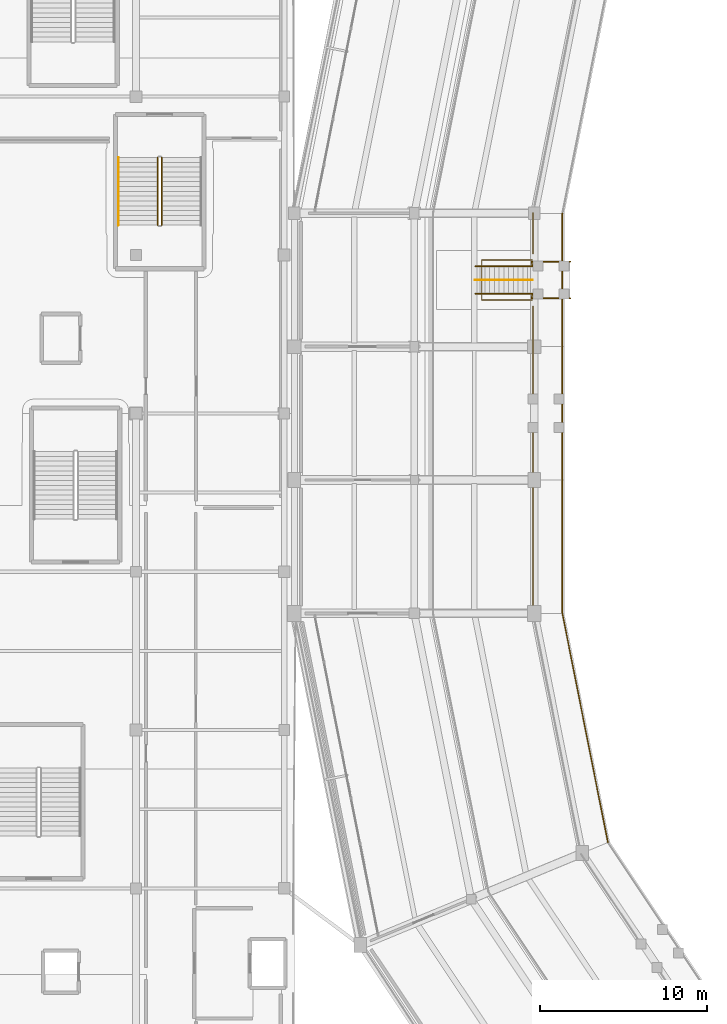
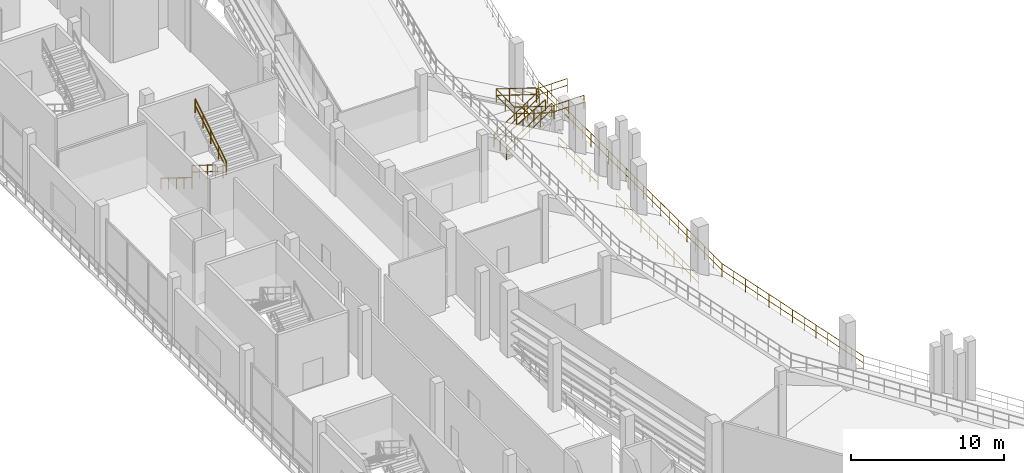
# One storey, part 106 of 127: 14 railings.
"""IFC4 building model written with IfcOpenShell, lengths in metres."""

from ifc_helpers import new_model, si_unit, direction, frame, origin, origin_2d, place, context, subcontext, project, spatial, circle, extrude, material, layer, layer_set, type_object, element, save


model = new_model("IFC4")

# Units and contexts
model_context = context("Model", 3, precision=1e-05, world=origin(), true_north=direction((0.0, 1.0)))
body_context = subcontext(model_context, "Body", "Model", "MODEL_VIEW")
ifc_project = project(units=[si_unit("LENGTHUNIT", "METRE"), si_unit("AREAUNIT", "SQUARE_METRE"), si_unit("VOLUMEUNIT", "CUBIC_METRE"), si_unit("PLANEANGLEUNIT", "RADIAN"), si_unit("MASSUNIT", "GRAM", prefix="KILO")], contexts=[model_context])

# Site, building, storey
site_placement = place(None, origin())
site = spatial("IfcSite", under=ifc_project, at=site_placement, CompositionType="ELEMENT")
building_placement = place(site_placement, origin())
building = spatial("IfcBuilding", under=site, at=building_placement, Name="Candeia Ridge Stadium", CompositionType="ELEMENT")
storey_placement = place(building_placement, frame((0.0, 0.0, 10.800048828125)))
storey = spatial("IfcBuildingStorey", under=building, at=storey_placement, Name="L02", CompositionType="ELEMENT", Elevation=10.800048828125)

# Railings
ifc_material_1 = material(Name="Galvanized Powder-Coated Steel", Category="steel")
ifc_layer_1 = layer(ifc_material_1, 0.074951171875, Name="Galvanized Powder-Coated Steel", Category="steel")
ifc_layer_set_1 = layer_set([ifc_layer_1], Name="Galvanized Powder-Coated Steel")
railing_type_1 = type_object("IfcRailingType", Name="Spectator Bowl Front Guardrail 1120", PredefinedType="GUARDRAIL", material=ifc_layer_set_1)
for number, where, name in (
    (1, (35.080078125, 95.0, 0.39990234375), "Stand T2 front safety guardrail bay 12"),
    (2, (35.080078125, 87.0, 0.39990234375), "Stand T2 front safety guardrail bay 13"),
    (3, (35.080078125, 79.0, 0.39990234375), "Stand T2 front safety guardrail bay 14"),
):
    element("IfcRailing", number, at=place(storey_placement, frame(where)), inside=storey, type_object=railing_type_1, Name=name, PredefinedType="GUARDRAIL", context=body_context, shape_type="SweptSolid", body=[
        extrude(circle(Radius=0.02392578125, at=origin_2d()), frame((0.0, 0.0, 1.09619140625), z_axis=(0.0, -1.0, 0.0), x_axis=(1.0, 0.0, 0.0)), (0.0, 0.0, 1.0), 8.0),
        extrude(circle(Radius=0.02392578125, at=origin_2d()), frame((0.0, 0.0, 0.56005859375), z_axis=(0.0, -1.0, 0.0), x_axis=(1.0, 0.0, 0.0)), (0.0, 0.0, 1.0), 8.0),
        extrude(circle(Radius=0.02099609375, at=origin_2d()), origin(), (0.0, 0.0, 1.0), 1.072021484375),
        extrude(circle(Radius=0.02099609375, at=origin_2d()), frame((0.0, -1.142822265625, 0.0)), (0.0, 0.0, 1.0), 1.072021484375),
        extrude(circle(Radius=0.02099609375, at=origin_2d()), frame((0.0, -2.28564453125, 0.0)), (0.0, 0.0, 1.0), 1.072021484375),
        extrude(circle(Radius=0.02099609375, at=origin_2d()), frame((0.0, -3.428466796875, 0.0)), (0.0, 0.0, 1.0), 1.072021484375),
        extrude(circle(Radius=0.02099609375, at=origin_2d()), frame((0.0, -4.571533203125, 0.0)), (0.0, 0.0, 1.0), 1.072021484375),
        extrude(circle(Radius=0.02099609375, at=origin_2d()), frame((0.0, -5.71435546875, 0.0)), (0.0, 0.0, 1.0), 1.072021484375),
        extrude(circle(Radius=0.02099609375, at=origin_2d()), frame((0.0, -6.857177734375, 0.0)), (0.0, 0.0, 1.0), 1.072021484375),
        extrude(circle(Radius=0.02099609375, at=origin_2d()), frame((0.0, -8.0, 0.0)), (0.0, 0.0, 1.0), 1.072021484375),
    ])
railing_1_placement = place(storey_placement, frame((35.080078125, 71.0, 0.39990234375)))
element("IfcRailing", 4, at=railing_1_placement, inside=storey, type_object=railing_type_1, Name="Stand T2 front safety guardrail bay 15", PredefinedType="GUARDRAIL", context=body_context, shape_type="SweptSolid", body=[
    extrude(circle(Radius=0.02392578125, at=origin_2d()), frame((0.0, 0.0, 1.09619140625), z_axis=(0.195080905976, -0.980787153323, 0.0), x_axis=(0.980787153323, 0.195080905976, 0.0)), (0.0, 0.0, 1.0), 14.015380859375),
    extrude(circle(Radius=0.02392578125, at=origin_2d()), frame((0.0, 0.0, 0.56005859375), z_axis=(0.195080905976, -0.980787153323, 0.0), x_axis=(0.980787153323, 0.195080905976, 0.0)), (0.0, 0.0, 1.0), 14.015380859375),
    extrude(circle(Radius=0.02099609375, at=origin_2d()), origin(), (0.0, 0.0, 1.0), 1.072021484375),
    extrude(circle(Radius=0.02099609375, at=origin_2d()), frame((0.227783203125, -1.1455078125, 0.0)), (0.0, 0.0, 1.0), 1.072021484375),
    extrude(circle(Radius=0.02099609375, at=origin_2d()), frame((0.45556640625, -2.291015625, 0.0)), (0.0, 0.0, 1.0), 1.072021484375),
    extrude(circle(Radius=0.02099609375, at=origin_2d()), frame((0.68359375, -3.4365234375, 0.0)), (0.0, 0.0, 1.0), 1.072021484375),
    extrude(circle(Radius=0.02099609375, at=origin_2d()), frame((0.911376953125, -4.58203125, 0.0)), (0.0, 0.0, 1.0), 1.072021484375),
    extrude(circle(Radius=0.02099609375, at=origin_2d()), frame((1.13916015625, -5.7275390625, 0.0)), (0.0, 0.0, 1.0), 1.072021484375),
    extrude(circle(Radius=0.02099609375, at=origin_2d()), frame((1.3671875, -6.873046875, 0.0)), (0.0, 0.0, 1.0), 1.072021484375),
    extrude(circle(Radius=0.02099609375, at=origin_2d()), frame((1.594970703125, -8.0185546875, 0.0)), (0.0, 0.0, 1.0), 1.072021484375),
    extrude(circle(Radius=0.02099609375, at=origin_2d()), frame((1.82275390625, -9.1640625, 0.0)), (0.0, 0.0, 1.0), 1.072021484375),
    extrude(circle(Radius=0.02099609375, at=origin_2d()), frame((2.050537109375, -10.3095703125, 0.0)), (0.0, 0.0, 1.0), 1.072021484375),
    extrude(circle(Radius=0.02099609375, at=origin_2d()), frame((2.2783203125, -11.455078125, 0.0)), (0.0, 0.0, 1.0), 1.072021484375),
    extrude(circle(Radius=0.02099609375, at=origin_2d()), frame((2.50634765625, -12.6005859375, 0.0)), (0.0, 0.0, 1.0), 1.072021484375),
    extrude(circle(Radius=0.02099609375, at=origin_2d()), frame((2.734130859375, -13.74609375, 0.0)), (0.0, 0.0, 1.0), 1.072021484375),
])
railing_2_placement = place(storey_placement, frame((33.320068359375, 95.0, 0.0)))
element("IfcRailing", 5, at=railing_2_placement, inside=storey, type_object=railing_type_1, Name="Deck edge safety guardrail GR-DE-L02-0111", PredefinedType="GUARDRAIL", context=body_context, shape_type="SweptSolid", body=[
    extrude(circle(Radius=0.02392578125, at=origin_2d()), frame((0.0, 0.0, 1.09619140625), z_axis=(0.0, -1.0, 0.0), x_axis=(1.0, 0.0, 0.0)), (0.0, 0.0, 1.0), 2.397705078125),
    extrude(circle(Radius=0.02392578125, at=origin_2d()), frame((0.0, 0.0, 0.56005859375), z_axis=(0.0, -1.0, 0.0), x_axis=(1.0, 0.0, 0.0)), (0.0, 0.0, 1.0), 2.397705078125),
    extrude(circle(Radius=0.02099609375, at=origin_2d()), origin(), (0.0, 0.0, 1.0), 1.072021484375),
    extrude(circle(Radius=0.02099609375, at=origin_2d()), frame((0.0, -1.19873046875, 0.0)), (0.0, 0.0, 1.0), 1.072021484375),
    extrude(circle(Radius=0.02099609375, at=origin_2d()), frame((0.0, -2.397705078125, 0.0)), (0.0, 0.0, 1.0), 1.072021484375),
])
railing_3_placement = place(storey_placement, frame((33.320068359375, 89.397705078125, 0.0)))
element("IfcRailing", 6, at=railing_3_placement, inside=storey, type_object=railing_type_1, Name="Deck edge safety guardrail GR-DE-L02-0112", PredefinedType="GUARDRAIL", context=body_context, shape_type="SweptSolid", body=[
    extrude(circle(Radius=0.02392578125, at=origin_2d()), frame((0.0, 0.0, 1.09619140625), z_axis=(0.0, -1.0, 0.0), x_axis=(1.0, 0.0, 0.0)), (0.0, 0.0, 1.0), 5.207763671875),
    extrude(circle(Radius=0.02392578125, at=origin_2d()), frame((0.0, 0.0, 0.56005859375), z_axis=(0.0, -1.0, 0.0), x_axis=(1.0, 0.0, 0.0)), (0.0, 0.0, 1.0), 5.207763671875),
    extrude(circle(Radius=0.02099609375, at=origin_2d()), origin(), (0.0, 0.0, 1.0), 1.072021484375),
    extrude(circle(Radius=0.02099609375, at=origin_2d()), frame((0.0, -1.04150390625, 0.0)), (0.0, 0.0, 1.0), 1.072021484375),
    extrude(circle(Radius=0.02099609375, at=origin_2d()), frame((0.0, -2.0830078125, 0.0)), (0.0, 0.0, 1.0), 1.072021484375),
    extrude(circle(Radius=0.02099609375, at=origin_2d()), frame((0.0, -3.124755859375, 0.0)), (0.0, 0.0, 1.0), 1.072021484375),
    extrude(circle(Radius=0.02099609375, at=origin_2d()), frame((0.0, -4.166259765625, 0.0)), (0.0, 0.0, 1.0), 1.072021484375),
    extrude(circle(Radius=0.02099609375, at=origin_2d()), frame((0.0, -5.207763671875, 0.0)), (0.0, 0.0, 1.0), 1.072021484375),
])
railing_4_placement = place(storey_placement, frame((33.320068359375, 81.81005859375, 0.0)))
element("IfcRailing", 7, at=railing_4_placement, inside=storey, type_object=railing_type_1, Name="Deck edge safety guardrail GR-DE-L02-0113", PredefinedType="GUARDRAIL", context=body_context, shape_type="SweptSolid", body=[
    extrude(circle(Radius=0.02392578125, at=origin_2d()), frame((0.0, 0.0, 1.09619140625), z_axis=(0.000135311893, -0.999999990845, 0.0), x_axis=(0.999999990845, 0.000135311893, 0.0)), (0.0, 0.0, 1.0), 10.82568359375),
    extrude(circle(Radius=0.02392578125, at=origin_2d()), frame((0.0, 0.0, 0.56005859375), z_axis=(0.000135311893, -0.999999990845, 0.0), x_axis=(0.999999990845, 0.000135311893, 0.0)), (0.0, 0.0, 1.0), 10.82568359375),
    extrude(circle(Radius=0.02099609375, at=origin_2d()), origin(), (0.0, 0.0, 1.0), 1.072021484375),
    extrude(circle(Radius=0.02099609375, at=origin_2d()), frame((0.000244140625, -1.08251953125, 0.0)), (0.0, 0.0, 1.0), 1.072021484375),
    extrude(circle(Radius=0.02099609375, at=origin_2d()), frame((0.000244140625, -2.1650390625, 0.0)), (0.0, 0.0, 1.0), 1.072021484375),
    extrude(circle(Radius=0.02099609375, at=origin_2d()), frame((0.00048828125, -3.247802734375, 0.0)), (0.0, 0.0, 1.0), 1.072021484375),
    extrude(circle(Radius=0.02099609375, at=origin_2d()), frame((0.00048828125, -4.330322265625, 0.0)), (0.0, 0.0, 1.0), 1.072021484375),
    extrude(circle(Radius=0.02099609375, at=origin_2d()), frame((0.000732421875, -5.412841796875, 0.0)), (0.0, 0.0, 1.0), 1.072021484375),
    extrude(circle(Radius=0.02099609375, at=origin_2d()), frame((0.0009765625, -6.495361328125, 0.0)), (0.0, 0.0, 1.0), 1.072021484375),
    extrude(circle(Radius=0.02099609375, at=origin_2d()), frame((0.0009765625, -7.577880859375, 0.0)), (0.0, 0.0, 1.0), 1.072021484375),
    extrude(circle(Radius=0.02099609375, at=origin_2d()), frame((0.001220703125, -8.66064453125, 0.0)), (0.0, 0.0, 1.0), 1.072021484375),
    extrude(circle(Radius=0.02099609375, at=origin_2d()), frame((0.001220703125, -9.7431640625, 0.0)), (0.0, 0.0, 1.0), 1.072021484375),
    extrude(circle(Radius=0.02099609375, at=origin_2d()), frame((0.00146484375, -10.82568359375, 0.0)), (0.0, 0.0, 1.0), 1.072021484375),
])
ifc_material_2 = material(Name="Brushed Stainless Steel", Category="steel")
ifc_layer_2 = layer(ifc_material_2, 0.048095703125, Name="Brushed Stainless Steel", Category="steel")
ifc_layer_set_2 = layer_set([ifc_layer_2], Name="Brushed Stainless Steel")
railing_type_2 = type_object("IfcRailingType", Name="Stair Wall & Flight Handrail 900", PredefinedType="HANDRAIL", material=ifc_layer_set_2)
railing_5_placement = place(storey_placement, frame((8.449951171875, 98.35009765625, 0.179931640625)))
element("IfcRailing", 8, at=railing_5_placement, inside=storey, type_object=railing_type_2, Name="L02 ST08 stair handrail 1", PredefinedType="HANDRAIL", context=body_context, shape_type="SweptSolid", body=[
    extrude(circle(Radius=0.02392578125, at=origin_2d()), frame((0.0, 0.0, 0.8759765625), z_axis=(0.0, -0.849641744969, 0.527360318194), x_axis=(1.0, 0.0, 0.0)), (0.0, 0.0, 1.0), 4.778564453125),
    extrude(circle(Radius=0.02099609375, at=origin_2d()), origin(), (0.0, 0.0, 1.0), 0.851806640625),
    extrude(circle(Radius=0.02099609375, at=origin_2d()), frame((0.0, -1.01513671875, 0.6298828125)), (0.0, 0.0, 1.0), 0.851806640625),
    extrude(circle(Radius=0.02099609375, at=origin_2d()), frame((0.0, -2.030029296875, 1.260009765625)), (0.0, 0.0, 1.0), 0.851806640625),
    extrude(circle(Radius=0.02099609375, at=origin_2d()), frame((0.0, -3.044921875, 1.89013671875)), (0.0, 0.0, 1.0), 0.851806640625),
    extrude(circle(Radius=0.02099609375, at=origin_2d()), frame((0.0, -4.06005859375, 2.52001953125)), (0.0, 0.0, 1.0), 0.851806640625),
])
railing_6_placement = place(storey_placement, frame((29.860107421875, 91.0, 0.17236328125)))
element("IfcRailing", 9, at=railing_6_placement, inside=storey, type_object=railing_type_2, Name="Vomitory stair handrail VS21", PredefinedType="HANDRAIL", context=body_context, shape_type="SweptSolid", body=[
    extrude(circle(Radius=0.02392578125, at=origin_2d()), frame((0.0, 0.0, 0.8759765625), z_axis=(0.855757773658, 0.0, 0.517376683688), x_axis=(0.0, 1.0, 0.0)), (0.0, 0.0, 1.0), 3.996337890625),
    extrude(circle(Radius=0.02099609375, at=origin_2d()), origin(), (0.0, 0.0, 1.0), 0.851806640625),
    extrude(circle(Radius=0.02099609375, at=origin_2d()), frame((0.85498046875, 0.0, 0.516845703125)), (0.0, 0.0, 1.0), 0.851806640625),
    extrude(circle(Radius=0.02099609375, at=origin_2d()), frame((1.7099609375, 0.0, 1.03369140625)), (0.0, 0.0, 1.0), 0.851806640625),
    extrude(circle(Radius=0.02099609375, at=origin_2d()), frame((2.56494140625, 0.0, 1.55078125)), (0.0, 0.0, 1.0), 0.851806640625),
    extrude(circle(Radius=0.02099609375, at=origin_2d()), frame((3.419921875, 0.0, 2.067626953125)), (0.0, 0.0, 1.0), 0.851806640625),
])
ifc_layer_3 = layer(ifc_material_1, 0.06005859375, Name="Galvanized Powder-Coated Steel", Category="steel")
ifc_layer_set_3 = layer_set([ifc_layer_3], Name="Galvanized Powder-Coated Steel")
railing_type_3 = type_object("IfcRailingType", Name="Stair Well Guardrail 1100", PredefinedType="GUARDRAIL", material=ifc_layer_set_3)
railing_7_placement = place(storey_placement, frame((10.800048828125, 98.35009765625, 0.179931640625)))
element("IfcRailing", 10, at=railing_7_placement, inside=storey, type_object=railing_type_3, Name="L02 ST08 stair guard 1", PredefinedType="GUARDRAIL", context=body_context, shape_type="SweptSolid", body=[
    extrude(circle(Radius=0.02392578125, at=origin_2d()), frame((0.0, 0.0, 1.076171875), z_axis=(0.0, -0.849641744969, 0.527360318194), x_axis=(1.0, 0.0, 0.0)), (0.0, 0.0, 1.0), 4.778564453125),
    extrude(circle(Radius=0.02392578125, at=origin_2d()), frame((0.0, 0.0, 0.550048828125), z_axis=(0.0, -0.849641744969, 0.527360318194), x_axis=(1.0, 0.0, 0.0)), (0.0, 0.0, 1.0), 4.778564453125),
    extrude(circle(Radius=0.02099609375, at=origin_2d()), origin(), (0.0, 0.0, 1.0), 1.052001953125),
    extrude(circle(Radius=0.02099609375, at=origin_2d()), frame((0.0, -1.01513671875, 0.6298828125)), (0.0, 0.0, 1.0), 1.052001953125),
    extrude(circle(Radius=0.02099609375, at=origin_2d()), frame((0.0, -2.030029296875, 1.260009765625)), (0.0, 0.0, 1.0), 1.052001953125),
    extrude(circle(Radius=0.02099609375, at=origin_2d()), frame((0.0, -3.044921875, 1.89013671875)), (0.0, 0.0, 1.0), 1.052001953125),
    extrude(circle(Radius=0.02099609375, at=origin_2d()), frame((0.0, -4.06005859375, 2.52001953125)), (0.0, 0.0, 1.0), 1.052001953125),
])
railing_8_placement = place(storey_placement, frame((11.050048828125, 94.2900390625, 2.8798828125)))
element("IfcRailing", 11, at=railing_8_placement, inside=storey, type_object=railing_type_3, Name="L02 ST08 stair guard 3", PredefinedType="GUARDRAIL", context=body_context, shape_type="SweptSolid", body=[
    extrude(circle(Radius=0.02392578125, at=origin_2d()), frame((0.0, 0.0, 1.076171875), z_axis=(0.0, 0.849641744969, 0.527360318194), x_axis=(-1.0, 0.0, 0.0)), (0.0, 0.0, 1.0), 4.778564453125),
    extrude(circle(Radius=0.02392578125, at=origin_2d()), frame((0.0, 0.0, 0.550048828125), z_axis=(0.0, 0.849641744969, 0.527360318194), x_axis=(-1.0, 0.0, 0.0)), (0.0, 0.0, 1.0), 4.778564453125),
    extrude(circle(Radius=0.02099609375, at=origin_2d()), origin(), (0.0, 0.0, 1.0), 1.052001953125),
    extrude(circle(Radius=0.02099609375, at=origin_2d()), frame((0.0, 1.01513671875, 0.6298828125)), (0.0, 0.0, 1.0), 1.052001953125),
    extrude(circle(Radius=0.02099609375, at=origin_2d()), frame((0.0, 2.030029296875, 1.260009765625)), (0.0, 0.0, 1.0), 1.052001953125),
    extrude(circle(Radius=0.02099609375, at=origin_2d()), frame((0.0, 3.044921875, 1.89013671875)), (0.0, 0.0, 1.0), 1.052001953125),
    extrude(circle(Radius=0.02099609375, at=origin_2d()), frame((0.0, 4.06005859375, 2.52001953125)), (0.0, 0.0, 1.0), 1.052001953125),
])
ifc_layer_4 = layer(ifc_material_1, 0.070068359375, Name="Galvanized Powder-Coated Steel", Category="steel")
ifc_layer_set_4 = layer_set([ifc_layer_4], Name="Galvanized Powder-Coated Steel")
railing_type_4 = type_object("IfcRailingType", Name="Vomitory Portal Guardrail 1100", PredefinedType="GUARDRAIL", material=ifc_layer_set_4)
railing_9_placement = place(storey_placement, frame((33.280029296875, 92.199951171875, 2.239990234375)))
element("IfcRailing", 12, at=railing_9_placement, inside=storey, type_object=railing_type_4, Name="Vomitory portal guardrail VS21", PredefinedType="GUARDRAIL", context=body_context, shape_type="SweptSolid", body=[
    extrude(circle(Radius=0.02392578125, at=origin_2d()), frame((0.0, 0.0, 1.076171875), z_axis=(-0.95168124109, 0.0, 0.307087634653), x_axis=(0.0, -1.0, 0.0)), (0.0, 0.0, 1.0), 3.1943359375),
    extrude(circle(Radius=0.02392578125, at=origin_2d()), frame((0.0, 0.0, 0.550048828125), z_axis=(-0.95168124109, 0.0, 0.307087634653), x_axis=(0.0, -1.0, 0.0)), (0.0, 0.0, 1.0), 3.1943359375),
    extrude(circle(Radius=0.02392578125, at=origin_2d()), frame((-3.0400390625, 0.0, 2.05712890625), z_axis=(0.0, -1.0, 0.0), x_axis=(1.0, 0.0, 0.0)), (0.0, 0.0, 1.0), 2.39990234375),
    extrude(circle(Radius=0.02392578125, at=origin_2d()), frame((-3.0400390625, 0.0, 1.531005859375), z_axis=(0.0, -1.0, 0.0), x_axis=(1.0, 0.0, 0.0)), (0.0, 0.0, 1.0), 2.39990234375),
    extrude(circle(Radius=0.02392578125, at=origin_2d()), frame((-3.0400390625, -2.39990234375, 2.05712890625), z_axis=(0.95168124109, 0.0, -0.307087634653), x_axis=(0.0, 1.0, 0.0)), (0.0, 0.0, 1.0), 3.1943359375),
    extrude(circle(Radius=0.02392578125, at=origin_2d()), frame((-3.0400390625, -2.39990234375, 1.531005859375), z_axis=(0.95168124109, 0.0, -0.307087634653), x_axis=(0.0, 1.0, 0.0)), (0.0, 0.0, 1.0), 3.1943359375),
    extrude(circle(Radius=0.02099609375, at=origin_2d()), origin(), (0.0, 0.0, 1.0), 1.052001953125),
    extrude(circle(Radius=0.02099609375, at=origin_2d()), frame((-1.013427734375, 0.0, 0.326904296875)), (0.0, 0.0, 1.0), 1.052001953125),
    extrude(circle(Radius=0.02099609375, at=origin_2d()), frame((-2.026611328125, 0.0, 0.654052734375)), (0.0, 0.0, 1.0), 1.052001953125),
    extrude(circle(Radius=0.02099609375, at=origin_2d()), frame((-3.0400390625, 0.0, 0.98095703125)), (0.0, 0.0, 1.0), 1.052001953125),
    extrude(circle(Radius=0.02099609375, at=origin_2d()), frame((-3.0400390625, -1.199951171875, 0.98095703125)), (0.0, 0.0, 1.0), 1.052001953125),
    extrude(circle(Radius=0.02099609375, at=origin_2d()), frame((-3.0400390625, -2.39990234375, 0.98095703125)), (0.0, 0.0, 1.0), 1.052001953125),
    extrude(circle(Radius=0.02099609375, at=origin_2d()), frame((-2.026611328125, -2.39990234375, 0.654052734375)), (0.0, 0.0, 1.0), 1.052001953125),
    extrude(circle(Radius=0.02099609375, at=origin_2d()), frame((-1.013427734375, -2.39990234375, 0.326904296875)), (0.0, 0.0, 1.0), 1.052001953125),
    extrude(circle(Radius=0.02099609375, at=origin_2d()), frame((0.0, -2.39990234375, 0.0)), (0.0, 0.0, 1.0), 1.052001953125),
])
railing_10_placement = place(storey_placement, frame((29.860107421875, 91.820068359375, 0.0)))
element("IfcRailing", 13, at=railing_10_placement, inside=storey, type_object=railing_type_4, Name="Vomitory stair & landing side guardrail VS21-L", PredefinedType="GUARDRAIL", context=body_context, shape_type="SweptSolid", body=[
    extrude(circle(Radius=0.02392578125, at=origin_2d()), frame((0.0, 0.0, 1.076171875), z_axis=(0.836533807629, 0.0, 0.547915311607), x_axis=(0.0, 1.0, 0.0)), (0.0, 0.0, 1.0), 4.088134765625),
    extrude(circle(Radius=0.02392578125, at=origin_2d()), frame((0.0, 0.0, 0.550048828125), z_axis=(0.836533807629, 0.0, 0.547915311607), x_axis=(0.0, 1.0, 0.0)), (0.0, 0.0, 1.0), 4.088134765625),
    extrude(circle(Radius=0.02392578125, at=origin_2d()), frame((3.419921875, 0.0, 3.31591796875), z_axis=(-0.141542183877, 0.989932225045, 0.0), x_axis=(-0.989932225045, -0.141542183877, 0.0)), (0.0, 0.0, 1.0), 0.282958984375),
    extrude(circle(Radius=0.02392578125, at=origin_2d()), frame((3.419921875, 0.0, 2.7900390625), z_axis=(-0.141542183877, 0.989932225045, 0.0), x_axis=(-0.989932225045, -0.141542183877, 0.0)), (0.0, 0.0, 1.0), 0.282958984375),
    extrude(circle(Radius=0.02392578125, at=origin_2d()), frame((3.3798828125, 0.280029296875, 3.31591796875), z_axis=(1.0, 0.0, 0.0), x_axis=(0.0, 1.0, 0.0)), (0.0, 0.0, 1.0), 2.320068359375),
    extrude(circle(Radius=0.02392578125, at=origin_2d()), frame((3.3798828125, 0.280029296875, 2.7900390625), z_axis=(1.0, 0.0, 0.0), x_axis=(0.0, 1.0, 0.0)), (0.0, 0.0, 1.0), 2.320068359375),
    extrude(circle(Radius=0.02099609375, at=origin_2d()), origin(), (0.0, 0.0, 1.0), 1.052001953125),
    extrude(circle(Radius=0.02099609375, at=origin_2d()), frame((0.85498046875, 0.0, 0.56005859375)), (0.0, 0.0, 1.0), 1.052001953125),
    extrude(circle(Radius=0.02099609375, at=origin_2d()), frame((1.7099609375, 0.0, 1.1201171875)), (0.0, 0.0, 1.0), 1.052001953125),
    extrude(circle(Radius=0.02099609375, at=origin_2d()), frame((2.56494140625, 0.0, 1.679931640625)), (0.0, 0.0, 1.0), 1.052001953125),
    extrude(circle(Radius=0.02099609375, at=origin_2d()), frame((3.419921875, 0.0, 2.239990234375)), (0.0, 0.0, 1.0), 1.052001953125),
    extrude(circle(Radius=0.02099609375, at=origin_2d()), frame((3.3798828125, 0.280029296875, 2.239990234375)), (0.0, 0.0, 1.0), 1.052001953125),
    extrude(circle(Radius=0.02099609375, at=origin_2d()), frame((4.5400390625, 0.280029296875, 2.239990234375)), (0.0, 0.0, 1.0), 1.052001953125),
    extrude(circle(Radius=0.02099609375, at=origin_2d()), frame((5.699951171875, 0.280029296875, 2.239990234375)), (0.0, 0.0, 1.0), 1.052001953125),
])
railing_11_placement = place(storey_placement, frame((29.860107421875, 90.179931640625, 0.0)))
element("IfcRailing", 14, at=railing_11_placement, inside=storey, type_object=railing_type_4, Name="Vomitory stair & landing side guardrail VS21-R", PredefinedType="GUARDRAIL", context=body_context, shape_type="SweptSolid", body=[
    extrude(circle(Radius=0.02392578125, at=origin_2d()), frame((0.0, 0.0, 1.076171875), z_axis=(0.836533807629, 0.0, 0.547915311607), x_axis=(0.0, 1.0, 0.0)), (0.0, 0.0, 1.0), 4.088134765625),
    extrude(circle(Radius=0.02392578125, at=origin_2d()), frame((0.0, 0.0, 0.550048828125), z_axis=(0.836533807629, 0.0, 0.547915311607), x_axis=(0.0, 1.0, 0.0)), (0.0, 0.0, 1.0), 4.088134765625),
    extrude(circle(Radius=0.02392578125, at=origin_2d()), frame((3.419921875, 0.0, 3.31591796875), z_axis=(-0.141542183877, -0.989932225045, 0.0), x_axis=(0.989932225045, -0.141542183877, 0.0)), (0.0, 0.0, 1.0), 0.282958984375),
    extrude(circle(Radius=0.02392578125, at=origin_2d()), frame((3.419921875, 0.0, 2.7900390625), z_axis=(-0.141542183877, -0.989932225045, 0.0), x_axis=(0.989932225045, -0.141542183877, 0.0)), (0.0, 0.0, 1.0), 0.282958984375),
    extrude(circle(Radius=0.02392578125, at=origin_2d()), frame((3.3798828125, -0.280029296875, 3.31591796875), z_axis=(1.0, 0.0, 0.0), x_axis=(0.0, 1.0, 0.0)), (0.0, 0.0, 1.0), 2.320068359375),
    extrude(circle(Radius=0.02392578125, at=origin_2d()), frame((3.3798828125, -0.280029296875, 2.7900390625), z_axis=(1.0, 0.0, 0.0), x_axis=(0.0, 1.0, 0.0)), (0.0, 0.0, 1.0), 2.320068359375),
    extrude(circle(Radius=0.02099609375, at=origin_2d()), origin(), (0.0, 0.0, 1.0), 1.052001953125),
    extrude(circle(Radius=0.02099609375, at=origin_2d()), frame((0.85498046875, 0.0, 0.56005859375)), (0.0, 0.0, 1.0), 1.052001953125),
    extrude(circle(Radius=0.02099609375, at=origin_2d()), frame((1.7099609375, 0.0, 1.1201171875)), (0.0, 0.0, 1.0), 1.052001953125),
    extrude(circle(Radius=0.02099609375, at=origin_2d()), frame((2.56494140625, 0.0, 1.679931640625)), (0.0, 0.0, 1.0), 1.052001953125),
    extrude(circle(Radius=0.02099609375, at=origin_2d()), frame((3.419921875, 0.0, 2.239990234375)), (0.0, 0.0, 1.0), 1.052001953125),
    extrude(circle(Radius=0.02099609375, at=origin_2d()), frame((3.3798828125, -0.280029296875, 2.239990234375)), (0.0, 0.0, 1.0), 1.052001953125),
    extrude(circle(Radius=0.02099609375, at=origin_2d()), frame((4.5400390625, -0.280029296875, 2.239990234375)), (0.0, 0.0, 1.0), 1.052001953125),
    extrude(circle(Radius=0.02099609375, at=origin_2d()), frame((5.699951171875, -0.280029296875, 2.239990234375)), (0.0, 0.0, 1.0), 1.052001953125),
])

save(model, "model.ifc")
